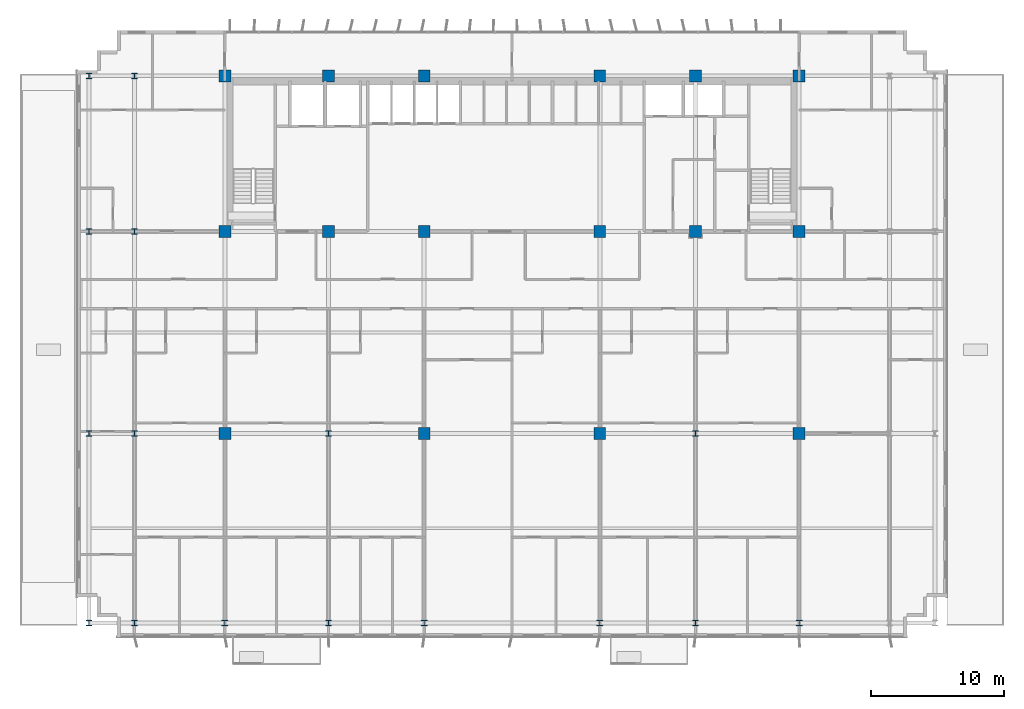
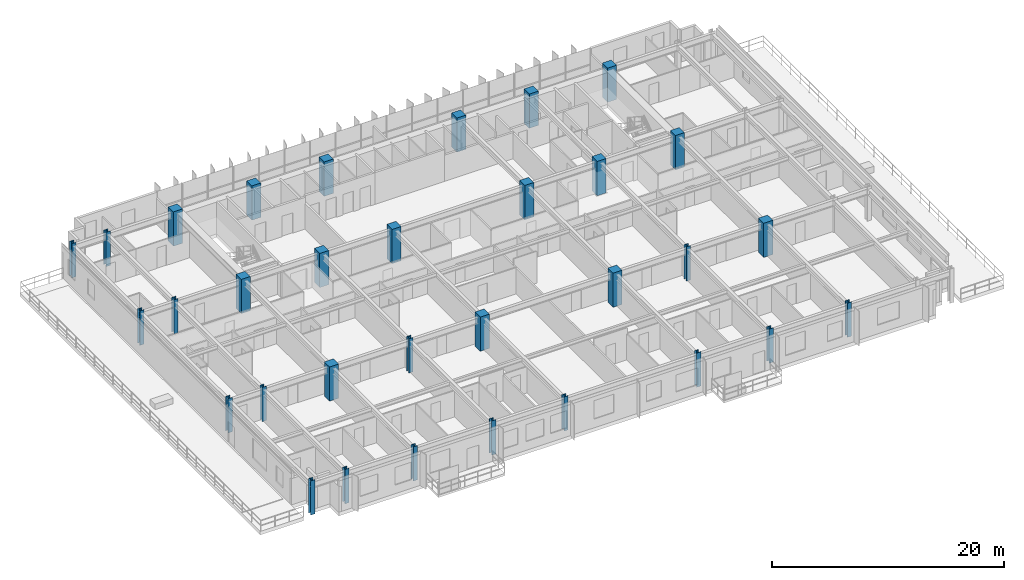
# One storey, part 1 of 26: 32 columns.
"""IFC4 building model written with IfcOpenShell, lengths in metres."""

import ifcopenshell
import ifcopenshell.guid

model = None  # the IFC model being written
_history = None  # IfcOwnerHistory: only IFC2X3 demands one
_inside = {}  # id of a spatial element -> (the spatial element, [elements in it])
_under = {}  # id of a project, library or spatial element -> (it, [spatial elements below it])
_declared = {}  # id of a project -> (the project, [libraries it declares])
_typed = {}  # id of a type object -> (the type object, [elements of that type])
_made_of = {}  # id of a material, layer set ... -> (it, [elements and type objects made of it])


def new_model(schema):
    """Start an empty IFC model of exactly this schema.

    Asked for "IFC4X3", IfcOpenShell would pick the latest addendum, in which some entities
    have other attributes; the version numbers below select the first issue.
    IFC2X3 requires an IfcOwnerHistory on every rooted entity: one is made here for all.
    """
    global model, _history
    if schema == "IFC4X3":
        model = ifcopenshell.file(schema_version=(4, 3, 0, 0))
    else:
        model = ifcopenshell.file(schema=schema)
    _inside.clear()
    _under.clear()
    _declared.clear()
    _typed.clear()
    _made_of.clear()
    _history = None
    if model.schema == "IFC2X3":
        org = make("IfcOrganization", Name="unknown")
        user = make(
            "IfcPersonAndOrganization",
            ThePerson=make("IfcPerson", FamilyName="unknown"),
            TheOrganization=org,
        )
        app = make(
            "IfcApplication",
            ApplicationDeveloper=org,
            Version="unknown",
            ApplicationFullName="unknown",
            ApplicationIdentifier="unknown",
        )
        _history = make(
            "IfcOwnerHistory",
            OwningUser=user,
            OwningApplication=app,
            ChangeAction="ADDED",
            CreationDate=0,
        )
    return model


def make(cls, **values):
    """One entity of the class cls with the attributes given. An attribute that is None is left unset."""
    return model.create_entity(
        cls, **{name: value for name, value in values.items() if value is not None}
    )


def rooted(cls, **values):
    """An entity with a GlobalId (a new one), such as an element, a storey or a relation."""
    return make(cls, GlobalId=ifcopenshell.guid.new(), OwnerHistory=_history, **values)


def si_unit(unit_type, name, prefix=None):
    """IfcSIUnit, for example si_unit("LENGTHUNIT", "METRE", prefix="MILLI")."""
    return make("IfcSIUnit", UnitType=unit_type, Prefix=prefix, Name=name)


def assignment(units):
    """IfcUnitAssignment: the units of a project."""
    return None if units is None else make("IfcUnitAssignment", Units=units)


def point(xyz):
    """IfcCartesianPoint."""
    return None if xyz is None else make("IfcCartesianPoint", Coordinates=xyz)


def direction(xyz):
    """IfcDirection."""
    return None if xyz is None else make("IfcDirection", DirectionRatios=xyz)


def frame(location, z_axis=None, x_axis=None):
    """IfcAxis2Placement3D, a coordinate frame: its origin and axes. An axis left out is left unset."""
    return make(
        "IfcAxis2Placement3D",
        Location=point(location),
        Axis=direction(z_axis),
        RefDirection=direction(x_axis),
    )


def frame_2d(location, x_axis=None):
    """IfcAxis2Placement2D, a coordinate frame in the plane: its origin and x axis."""
    return make(
        "IfcAxis2Placement2D", Location=point(location), RefDirection=direction(x_axis)
    )


def origin():
    """The frame at (0, 0, 0) with its axes left unset."""
    return frame((0.0, 0.0, 0.0))


def origin_2d():
    """The frame at (0, 0) in the plane with its x axis left unset."""
    return frame_2d((0.0, 0.0))


def place(relative_to, where):
    """IfcLocalPlacement: puts the frame where relative to a parent placement (None: the world)."""
    return make(
        "IfcLocalPlacement", PlacementRelTo=relative_to, RelativePlacement=where
    )


def context(
    kind, dimensions, precision=None, world=None, true_north=None, identifier=None
):
    """IfcGeometricRepresentationContext, for example the 3D "Model" context."""
    return make(
        "IfcGeometricRepresentationContext",
        ContextIdentifier=identifier,
        ContextType=kind,
        CoordinateSpaceDimension=dimensions,
        Precision=precision,
        WorldCoordinateSystem=world,
        TrueNorth=true_north,
    )


def subcontext(parent, identifier, kind, view, scale=None):
    """IfcGeometricRepresentationSubContext, for example "Body" below "Model"."""
    return make(
        "IfcGeometricRepresentationSubContext",
        ContextIdentifier=identifier,
        ContextType=kind,
        ParentContext=parent,
        TargetScale=scale,
        TargetView=view,
    )


def project(units=None, contexts=None):
    """IfcProject with its units and contexts."""
    return rooted(
        "IfcProject",
        Name="project",
        RepresentationContexts=contexts,
        UnitsInContext=assignment(units),
    )


def spatial(cls, under=None, at=None, **own):
    """A site, building, storey or space (cls), placed at a placement, below another one or the project."""
    s = rooted(cls, ObjectPlacement=at, **own)
    if under is not None:
        _under.setdefault(under.id(), (under, []))[1].append(s)
    return s


def profile(cls, at=None, kind="AREA", **sizes):
    """A parametric profile (cls). Its sizes go by their IFC names, for example OverallWidth=200.0."""
    return make(cls, ProfileType=kind, Position=at, **sizes)


def rectangle(**sizes):
    """IfcRectangleProfileDef."""
    return profile("IfcRectangleProfileDef", **sizes)


def i_section(**sizes):
    """IfcIShapeProfileDef."""
    return profile("IfcIShapeProfileDef", **sizes)


def extrude(swept, where, along, depth):
    """IfcExtrudedAreaSolid: the profile swept, set in the frame where, extruded along a direction by depth."""
    return make(
        "IfcExtrudedAreaSolid",
        SweptArea=swept,
        Position=where,
        ExtrudedDirection=direction(along),
        Depth=depth,
    )


def shape(context_of_items, identifier, shape_type, items):
    """IfcShapeRepresentation: the items that make up one representation, for example the "Body"."""
    return make(
        "IfcShapeRepresentation",
        ContextOfItems=context_of_items,
        RepresentationIdentifier=identifier,
        RepresentationType=shape_type,
        Items=items,
    )


def source(mapping_origin, context_of_items, identifier, shape_type, items):
    """IfcRepresentationMap: a shape defined once, which mapped items show again and again."""
    return make(
        "IfcRepresentationMap",
        MappingOrigin=mapping_origin,
        MappedRepresentation=shape(context_of_items, identifier, shape_type, items),
    )


def transform(
    local_origin,
    x_axis=None,
    y_axis=None,
    z_axis=None,
    scale=None,
    scale2=None,
    scale3=None,
    uniform=True,
):
    """IfcCartesianTransformationOperator3D, or its non-uniform kind. x_axis, y_axis, z_axis: its Axis1, 2, 3."""
    if uniform:
        return make(
            "IfcCartesianTransformationOperator3D",
            Axis1=direction(x_axis),
            Axis2=direction(y_axis),
            LocalOrigin=point(local_origin),
            Scale=scale,
            Axis3=direction(z_axis),
        )
    return make(
        "IfcCartesianTransformationOperator3DnonUniform",
        Axis1=direction(x_axis),
        Axis2=direction(y_axis),
        LocalOrigin=point(local_origin),
        Scale=scale,
        Axis3=direction(z_axis),
        Scale2=scale2,
        Scale3=scale3,
    )


def mapped(mapping_source, mapping_target):
    """IfcMappedItem: shows the shape of a source again, moved by a transform."""
    return make(
        "IfcMappedItem", MappingSource=mapping_source, MappingTarget=mapping_target
    )


def material(Name=None, Category=None):
    """IfcMaterial."""
    return make("IfcMaterial", Name=Name, Category=Category)


def material_profile(
    of_material, cross_section, Name=None, Category=None, Priority=None
):
    """IfcMaterialProfile: a cross section and its material."""
    return make(
        "IfcMaterialProfile",
        Name=Name,
        Material=of_material,
        Profile=cross_section,
        Priority=Priority,
        Category=Category,
    )


def profile_set(profiles, Name=None, composite=None):
    """IfcMaterialProfileSet."""
    return make(
        "IfcMaterialProfileSet",
        Name=Name,
        MaterialProfiles=profiles,
        CompositeProfile=composite,
    )


def made_of(thing, what):
    """Note that an element or type object is made of a material, layer set ...; save() writes the relation."""
    if what is not None:
        _made_of.setdefault(what.id(), (what, []))[1].append(thing)
    return thing


def type_object(cls, material=None, **own):
    """A type object (cls), such as IfcWallType, which elements share."""
    return made_of(rooted(cls, **own), material)


def element(
    cls,
    number,
    at=None,
    inside=None,
    cuts=None,
    type_object=None,
    material=None,
    context=None,
    identifier="Body",
    shape_type=None,
    held_by="IfcProductDefinitionShape",
    body=None,
    shapes=None,
    **own,
):
    """One element of the class cls, such as IfcWall. Its Tag is "e" and its number.

    at: its placement. inside: the storey or other place that contains it. cuts: it is an
    opening in that element (IfcRelVoidsElement). A single representation is given by context,
    identifier, shape_type and body (its items); several are given by shapes. held_by: the class
    of the entity that holds the representations. save() writes the other relations.
    """
    e = rooted(cls, Tag="e%d" % number, ObjectPlacement=at, **own)
    if body is not None:
        shapes = [shape(context, identifier, shape_type, body)]
    if shapes is not None:
        e.Representation = make(held_by, Representations=shapes)
    if inside is not None:
        _inside.setdefault(inside.id(), (inside, []))[1].append(e)
    if cuts is not None:
        rooted(
            "IfcRelVoidsElement", RelatingBuildingElement=cuts, RelatedOpeningElement=e
        )
    if type_object is not None:
        _typed.setdefault(type_object.id(), (type_object, []))[1].append(e)
    return made_of(e, material)


def aggregate(whole, parts):
    """IfcRelAggregates: a whole, such as a stair, and the parts it consists of."""
    return rooted("IfcRelAggregates", RelatingObject=whole, RelatedObjects=parts)


def save(model, path):
    """Write the relations noted so far, then the file.

    IfcRelAggregates (storeys below a building ...), IfcRelContainedInSpatialStructure (elements
    in a storey), IfcRelDefinesByType, IfcRelAssociatesMaterial and IfcRelDeclares: one each for
    every whole, place, type object, material and project.
    """
    for whole, parts in _under.values():
        aggregate(whole, parts)
    for where, things in _inside.values():
        rooted(
            "IfcRelContainedInSpatialStructure",
            RelatedElements=things,
            RelatingStructure=where,
        )
    for kind, things in _typed.values():
        rooted("IfcRelDefinesByType", RelatedObjects=things, RelatingType=kind)
    for what, things in _made_of.values():
        rooted("IfcRelAssociatesMaterial", RelatedObjects=things, RelatingMaterial=what)
    for by, libraries in _declared.values():
        rooted("IfcRelDeclares", RelatingContext=by, RelatedDefinitions=libraries)
    model.write(path)


model = new_model("IFC4")

# Units and contexts
model_context = context("Model", 3, precision=1e-05, world=origin(), true_north=direction((0.0, 1.0)))
body_context = subcontext(model_context, "Body", "Model", "MODEL_VIEW")
ifc_project = project(units=[si_unit("LENGTHUNIT", "METRE"), si_unit("AREAUNIT", "SQUARE_METRE"), si_unit("VOLUMEUNIT", "CUBIC_METRE"), si_unit("PLANEANGLEUNIT", "RADIAN"), si_unit("MASSUNIT", "GRAM", prefix="KILO")], contexts=[model_context])

# Site, building, storey
site_placement = place(None, origin())
site = spatial("IfcSite", under=ifc_project, at=site_placement, CompositionType="ELEMENT")
building_placement = place(site_placement, origin())
building = spatial("IfcBuilding", under=site, at=building_placement, Name="Trelvane Seafront Commons", CompositionType="ELEMENT")
storey_placement = place(building_placement, frame((0.0, 0.0, 23.5)))
storey = spatial("IfcBuildingStorey", under=building, at=storey_placement, Name="L05", CompositionType="ELEMENT", Elevation=23.5)

# Columns
ifc_material_1 = material(Name="Steel SM355 (S355)", Category="steel")
ifc_material_profile_1 = material_profile(ifc_material_1, i_section(OverallWidth=0.419921875, OverallDepth=0.419921875, WebThickness=0.02587890625, FlangeThickness=0.0400390625, at=origin_2d()), Name="HD-420x420x26x40")
ifc_profile_set_1 = profile_set([ifc_material_profile_1], Name="Steel SM355 (S355)")
column_type_1 = type_object("IfcColumnType", Name="STR-COL-HD420", PredefinedType="COLUMN", material=ifc_profile_set_1)
shared_shape_1 = source(origin(), body_context, "Body", "SweptSolid", [
    extrude(i_section(OverallWidth=0.419921875, OverallDepth=0.419921875, WebThickness=0.02587890625, FlangeThickness=0.0400390625, at=origin_2d()), origin(), (0.0, 0.0, 1.0), 3.60009765625),
])
for number, where, z_axis, x_axis, name in (
    (1, (5.39990234375, 3.949951171875, 0.0), (0.0, 0.0, 1.0), (1.0, 0.0, 0.0), "L05 Column TC-S5.4"),
    (2, (5.39990234375, 18.199951171875, 0.0), (0.0, 0.0, 1.0), (1.0, 0.0, 0.0), "L05 Column TC-M5.4"),
    (3, (5.39990234375, 33.39990234375, 0.0), (0.0, 0.0, 1.0), (1.0, 0.0, 0.0), "L05 Column TC-CS5.4"),
    (4, (5.39990234375, 45.10009765625, 0.0), (0.0, 0.0, 1.0), (1.0, 0.0, 0.0), "L05 Column TC-CN5.4"),
    (5, (8.800048828125, 3.949951171875, 0.0), (0.0, 0.0, 1.0), (1.0, 0.0, 0.0), "L05 Column TC-S8.8"),
    (6, (8.800048828125, 18.199951171875, 0.0), (0.0, 0.0, 1.0), (1.0, 0.0, 0.0), "L05 Column TC-M8.8"),
    (7, (8.800048828125, 33.39990234375, 0.0), (0.0, 0.0, 1.0), (1.0, 0.0, 0.0), "L05 Column TC-CS8.8"),
    (8, (8.800048828125, 45.10009765625, 0.0), (0.0, 0.0, 1.0), (1.0, 0.0, 0.0), "L05 Column TC-CN8.8"),
    (9, (15.60009765625, 3.949951171875, 0.0), (0.0, 0.0, 1.0), (1.0, 0.0, 0.0), "L05 Column TC-S15.6"),
    (10, (23.39990234375, 3.949951171875, 0.0), (0.0, 0.0, 1.0), (1.0, 0.0, 0.0), "L05 Column TC-S23.4"),
    (11, (23.39990234375, 18.199951171875, 0.0), (0.0, 0.0, 1.0), (1.0, 0.0, 0.0), "L05 Column TC-M23.4"),
    (12, (30.60009765625, 3.949951171875, 0.0), (0.0, 0.0, 1.0), (1.0, 0.0, 0.0), "L05 Column TC-S30.6"),
    (13, (43.800048828125, 3.949951171875, 0.0), (0.0, 0.0, 1.0), (1.0, 0.0, 0.0), "L05 Column TC-S43.8"),
    (14, (51.0, 3.949951171875, 0.0), (0.0, 0.0, 1.0), (1.0, 0.0, 0.0), "L05 Column TC-S51.0"),
    (15, (51.0, 18.199951171875, 0.0), (0.0, 0.0, 1.0), (1.0, 0.0, 0.0), "L05 Column TC-M51.0"),
    (16, (58.800048828125, 3.949951171875, 0.0), (0.0, 0.0, 1.0), (1.0, 0.0, 0.0), "L05 Column TC-S58.8"),
):
    element("IfcColumn", number, at=place(storey_placement, frame(where, z_axis=z_axis, x_axis=x_axis)), inside=storey, type_object=column_type_1, Name=name, PredefinedType="COLUMN", context=body_context, shape_type="MappedRepresentation", body=[
        mapped(shared_shape_1, transform((0.0, 0.0, 0.0), x_axis=(1.0, 0.0, 0.0), y_axis=(0.0, 1.0, 0.0), z_axis=(0.0, 0.0, 1.0), scale=1.0)),
    ])
ifc_material_2 = material(Name="Concrete C60/75", Category="concrete")
ifc_material_profile_2 = material_profile(ifc_material_2, rectangle(XDim=0.89990234375, YDim=0.89990234375, at=origin_2d()), Name="RC-900x900")
ifc_profile_set_2 = profile_set([ifc_material_profile_2], Name="Concrete C60/75")
column_type_2 = type_object("IfcColumnType", Name="STR-COL-RC900", PredefinedType="COLUMN", material=ifc_profile_set_2)
shared_shape_2 = source(origin(), body_context, "Body", "SweptSolid", [
    extrude(rectangle(XDim=0.89990234375, YDim=0.89990234375, at=origin_2d()), origin(), (0.0, 0.0, 1.0), 3.60009765625),
])
for number, where, z_axis, x_axis, name in (
    (17, (15.60009765625, 18.199951171875, 0.0), (0.0, 0.0, 1.0), (1.0, 0.0, 0.0), "L05 Column TC-M15.6"),
    (18, (15.60009765625, 33.39990234375, 0.0), (0.0, 0.0, 1.0), (1.0, 0.0, 0.0), "L05 Column TC-CS15.6"),
    (19, (15.60009765625, 45.10009765625, 0.0), (0.0, 0.0, 1.0), (1.0, 0.0, 0.0), "L05 Column TC-CN15.6"),
    (20, (23.39990234375, 33.39990234375, 0.0), (0.0, 0.0, 1.0), (1.0, 0.0, 0.0), "L05 Column TC-CS23.4"),
    (21, (23.39990234375, 45.10009765625, 0.0), (0.0, 0.0, 1.0), (1.0, 0.0, 0.0), "L05 Column TC-CN23.4"),
    (22, (30.60009765625, 18.199951171875, 0.0), (0.0, 0.0, 1.0), (1.0, 0.0, 0.0), "L05 Column TC-M30.6"),
    (23, (30.60009765625, 33.39990234375, 0.0), (0.0, 0.0, 1.0), (1.0, 0.0, 0.0), "L05 Column TC-CS30.6"),
    (24, (30.60009765625, 45.10009765625, 0.0), (0.0, 0.0, 1.0), (1.0, 0.0, 0.0), "L05 Column TC-CN30.6"),
    (25, (43.800048828125, 18.199951171875, 0.0), (0.0, 0.0, 1.0), (1.0, 0.0, 0.0), "L05 Column TC-M43.8"),
    (26, (43.800048828125, 33.39990234375, 0.0), (0.0, 0.0, 1.0), (1.0, 0.0, 0.0), "L05 Column TC-CS43.8"),
    (27, (43.800048828125, 45.10009765625, 0.0), (0.0, 0.0, 1.0), (1.0, 0.0, 0.0), "L05 Column TC-CN43.8"),
    (28, (51.0, 33.39990234375, 0.0), (0.0, 0.0, 1.0), (1.0, 0.0, 0.0), "L05 Column TC-CS51.0"),
    (29, (51.0, 45.10009765625, 0.0), (0.0, 0.0, 1.0), (1.0, 0.0, 0.0), "L05 Column TC-CN51.0"),
    (30, (58.800048828125, 18.199951171875, 0.0), (0.0, 0.0, 1.0), (1.0, 0.0, 0.0), "L05 Column TC-M58.8"),
    (31, (58.800048828125, 33.39990234375, 0.0), (0.0, 0.0, 1.0), (1.0, 0.0, 0.0), "L05 Column TC-CS58.8"),
    (32, (58.800048828125, 45.10009765625, 0.0), (0.0, 0.0, 1.0), (1.0, 0.0, 0.0), "L05 Column TC-CN58.8"),
):
    element("IfcColumn", number, at=place(storey_placement, frame(where, z_axis=z_axis, x_axis=x_axis)), inside=storey, type_object=column_type_2, Name=name, PredefinedType="COLUMN", context=body_context, shape_type="MappedRepresentation", body=[
        mapped(shared_shape_2, transform((0.0, 0.0, 0.0), x_axis=(1.0, 0.0, 0.0), y_axis=(0.0, 1.0, 0.0), z_axis=(0.0, 0.0, 1.0), scale=1.0)),
    ])

save(model, "model.ifc")
